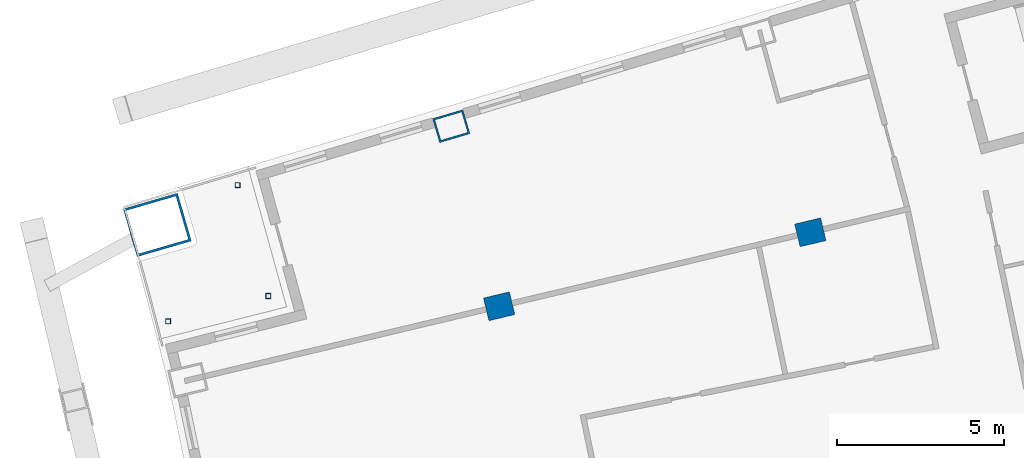
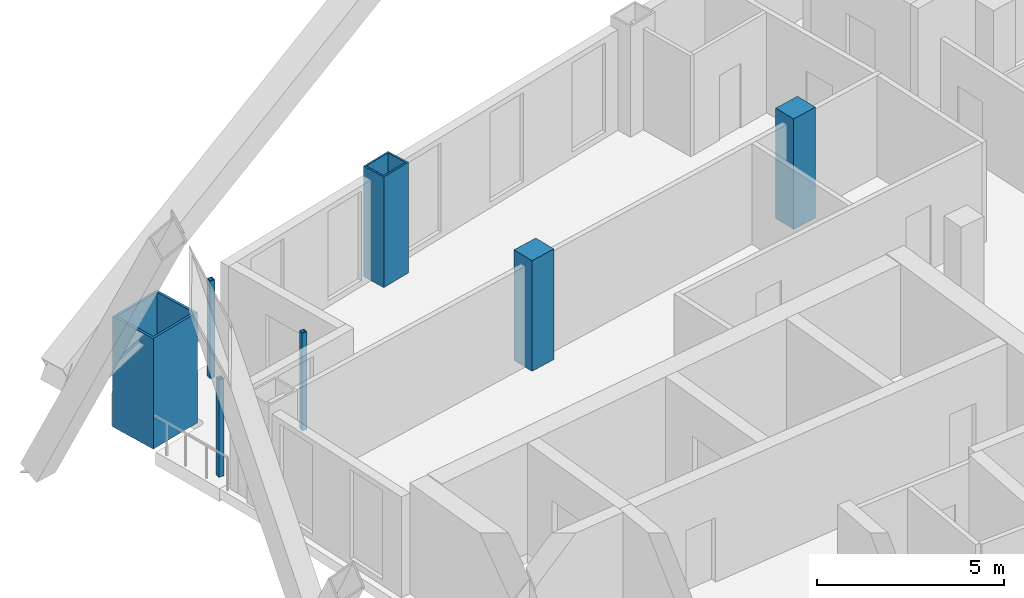
# One storey, part 7 of 20: 7 columns.
"""IFC4 building model written with IfcOpenShell, lengths in metres."""

from ifc_helpers import new_model, si_unit, direction, frame, origin, origin_2d, place, context, subcontext, project, spatial, rectangle, hollow_rectangle, extrude, material, material_profile, profile_set, type_object, element, save


model = new_model("IFC4")

# Units and contexts
model_context = context("Model", 3, precision=1e-05, world=origin(), true_north=direction((0.0, 1.0)))
body_context = subcontext(model_context, "Body", "Model", "MODEL_VIEW")
ifc_project = project(units=[si_unit("LENGTHUNIT", "METRE"), si_unit("AREAUNIT", "SQUARE_METRE"), si_unit("VOLUMEUNIT", "CUBIC_METRE"), si_unit("PLANEANGLEUNIT", "RADIAN"), si_unit("MASSUNIT", "GRAM", prefix="KILO")], contexts=[model_context])

# Site, building, storey
site_placement = place(None, origin())
site = spatial("IfcSite", under=ifc_project, at=site_placement, CompositionType="ELEMENT")
building_placement = place(site_placement, origin())
building = spatial("IfcBuilding", under=site, at=building_placement, Name="Alderwake Tower", CompositionType="ELEMENT")
storey_placement = place(building_placement, frame((0.0, 0.0, 210.800048828125)))
storey = spatial("IfcBuildingStorey", under=building, at=storey_placement, Name="L52", CompositionType="ELEMENT", Elevation=210.800048828125)

# Columns
ifc_material_1 = material(Name="Steel ASTM A572 Grade 50 concrete filled C70/85", Category="concrete")
ifc_material_profile_1 = material_profile(ifc_material_1, hollow_rectangle(XDim=0.75, YDim=0.949951171875, WallThickness=0.054931640625, at=origin_2d()), Name="BOX 950X750X55")
ifc_profile_set_1 = profile_set([ifc_material_profile_1], Name="Steel ASTM A572 Grade 50 concrete filled C70/85")
column_type_1 = type_object("IfcColumnType", Name="End column Z4", PredefinedType="COLUMN", material=ifc_profile_set_1)
column_1_placement = place(storey_placement, frame((21.885498046875, 90.96240234375, 0.0), z_axis=(0.0, 0.0, 1.0), x_axis=(-0.282132160283, 0.95937554906, 0.0)))
element("IfcColumn", 1, at=column_1_placement, inside=storey, type_object=column_type_1, Name="Column R12-C1", PredefinedType="COLUMN", context=body_context, shape_type="SweptSolid", body=[
    extrude(hollow_rectangle(XDim=0.75, YDim=0.949951171875, WallThickness=0.054931640625, at=origin_2d()), origin(), (0.0, 0.0, 1.0), 3.599853515625),
])
ifc_material_2 = material(Name="Concrete C70/85", Category="concrete")
ifc_material_profile_2 = material_profile(ifc_material_2, rectangle(XDim=0.699951171875, YDim=0.800048828125, at=origin_2d()), Name="RC 800X700")
ifc_profile_set_2 = profile_set([ifc_material_profile_2], Name="Concrete C70/85")
column_type_2 = type_object("IfcColumnType", Name="Interior column Z4", PredefinedType="COLUMN", material=ifc_profile_set_2)
for number, where, z_axis, x_axis, name in (
    (2, (23.322021484375, 85.555908203125, 0.0), (0.0, 0.0, 1.0), (-0.231221547198, 0.972901123502, 0.0), "Column R11-C1"),
    (3, (32.661865234375, 87.775390625, 0.0), (0.0, 0.0, 1.0), (-0.231221547198, 0.972901123502, 0.0), "Column R11-C2"),
):
    element("IfcColumn", number, at=place(storey_placement, frame(where, z_axis=z_axis, x_axis=x_axis)), inside=storey, type_object=column_type_2, Name=name, PredefinedType="COLUMN", context=body_context, shape_type="SweptSolid", body=[
        extrude(rectangle(XDim=0.699951171875, YDim=0.800048828125, at=origin_2d()), origin(), (0.0, 0.0, 1.0), 3.599853515625),
    ])
ifc_material_3 = material(Name="Steel ASTM A500 Grade C", Category="steel")
ifc_material_profile_3 = material_profile(ifc_material_3, hollow_rectangle(XDim=0.15234375, YDim=0.15234375, WallThickness=0.0087890625, at=origin_2d()), Name="HSS6X6X3/8")
ifc_profile_set_3 = profile_set([ifc_material_profile_3], Name="Steel ASTM A500 Grade C")
column_type_3 = type_object("IfcColumnType", Name="Light post HSS6X6X3/8", PredefinedType="COLUMN", material=ifc_profile_set_3)
for number, where, z_axis, x_axis, name in (
    (4, (13.3896484375, 85.103515625, 0.0), (0.0, 0.0, 1.0), (1.0, 0.0, 0.0), "Terrace post RN1"),
    (5, (15.47412109375, 89.194091796875, 0.0), (0.0, 0.0, 1.0), (1.0, 0.0, 0.0), "Terrace post RN2"),
    (6, (16.39501953125, 85.864013671875, 0.0), (0.0, 0.0, 1.0), (1.0, 0.0, 0.0), "Terrace post RN3"),
):
    element("IfcColumn", number, at=place(storey_placement, frame(where, z_axis=z_axis, x_axis=x_axis)), inside=storey, type_object=column_type_3, Name=name, PredefinedType="COLUMN", context=body_context, shape_type="SweptSolid", body=[
        extrude(hollow_rectangle(XDim=0.15234375, YDim=0.15234375, WallThickness=0.0087890625, at=origin_2d()), origin(), (0.0, 0.0, 1.0), 3.179931640625),
    ])
ifc_material_4 = material(Name="Steel ASTM A572 Grade 50 concrete filled C70/85", Category="concrete")
ifc_material_profile_4 = material_profile(ifc_material_4, hollow_rectangle(XDim=1.5, YDim=1.699951171875, WallThickness=0.074951171875, at=origin_2d()), Name="BOX 1700X1500X75")
ifc_profile_set_4 = profile_set([ifc_material_profile_4], Name="Steel ASTM A572 Grade 50 concrete filled C70/85")
column_type_4 = type_object("IfcColumnType", Name="Mega column Z4", PredefinedType="COLUMN", material=ifc_profile_set_4)
column_2_placement = place(storey_placement, frame((13.06298828125, 87.99755859375, 0.0), z_axis=(0.0, 0.0, 1.0), x_axis=(-0.278612301868, 0.960403657452, 0.0)))
element("IfcColumn", 7, at=column_2_placement, inside=storey, type_object=column_type_4, Name="Column R12-C0", PredefinedType="COLUMN", context=body_context, shape_type="SweptSolid", body=[
    extrude(hollow_rectangle(XDim=1.5, YDim=1.699951171875, WallThickness=0.074951171875, at=origin_2d()), origin(), (0.0, 0.0, 1.0), 3.599853515625),
])

save(model, "model.ifc")
